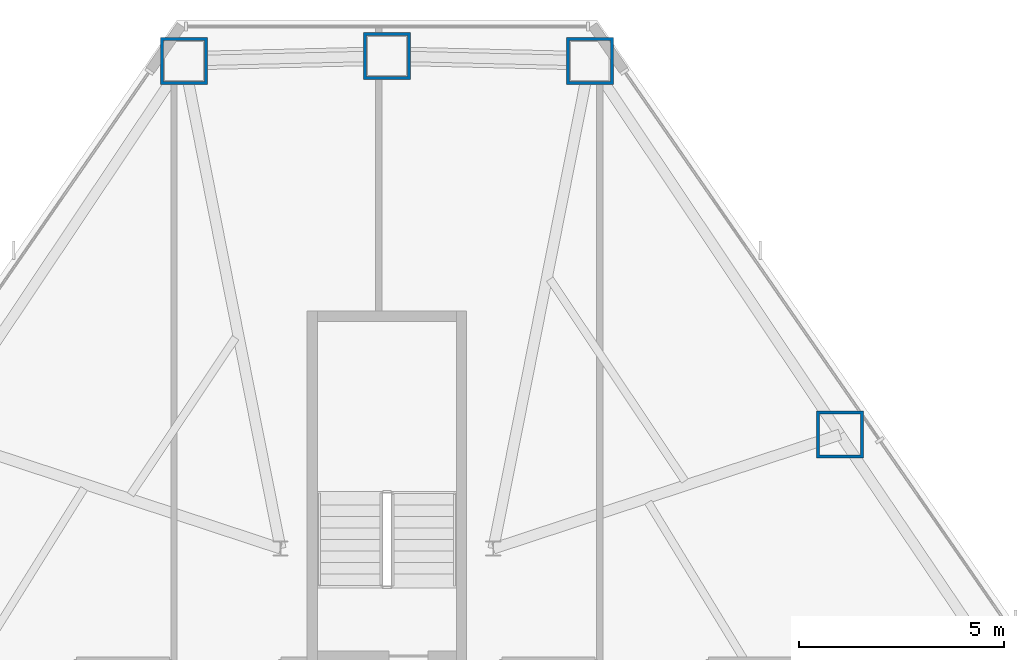
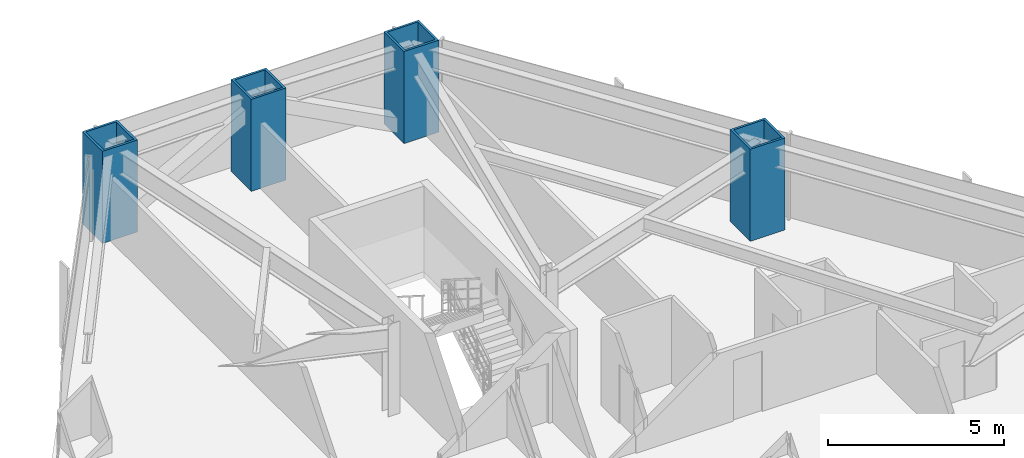
# One storey, part 3 of 13: 4 columns.
"""IFC4 building model written with IfcOpenShell, lengths in metres."""

from ifc_helpers import new_model, si_unit, direction, frame, origin, origin_2d, place, context, subcontext, project, spatial, hollow_rectangle, extrude, material, material_profile, profile_set, type_object, element, save


model = new_model("IFC4")

# Units and contexts
model_context = context("Model", 3, precision=1e-05, world=origin(), true_north=direction((0.0, 1.0)))
body_context = subcontext(model_context, "Body", "Model", "MODEL_VIEW")
ifc_project = project(units=[si_unit("LENGTHUNIT", "METRE"), si_unit("AREAUNIT", "SQUARE_METRE"), si_unit("VOLUMEUNIT", "CUBIC_METRE"), si_unit("PLANEANGLEUNIT", "RADIAN"), si_unit("MASSUNIT", "GRAM", prefix="KILO")], contexts=[model_context])

# Site, building, storey
site_placement = place(None, origin())
site = spatial("IfcSite", under=ifc_project, at=site_placement, CompositionType="ELEMENT")
building_placement = place(site_placement, origin())
building = spatial("IfcBuilding", under=site, at=building_placement, Name="Varakhsha Concourse Tower", CompositionType="ELEMENT")
storey_placement = place(building_placement, frame((0.0, 0.0, 52.800048828125)))
storey = spatial("IfcBuildingStorey", under=building, at=storey_placement, Name="L14", CompositionType="ELEMENT", Elevation=52.800048828125)

# Columns
ifc_material = material(Name="Structural Steel ASTM A572 Grade 50", Category="steel")
ifc_material_profile = material_profile(ifc_material, hollow_rectangle(XDim=1.14990234375, YDim=1.14990234375, WallThickness=0.074951171875, at=origin_2d()), Name="BOX 1150x1150x75")
ifc_profile_set = profile_set([ifc_material_profile], Name="Structural Steel ASTM A572 Grade 50")
column_type = type_object("IfcColumnType", Name="CL-TUBE-1150", PredefinedType="COLUMN", material=ifc_profile_set)
for number, where, z_axis, x_axis, name in (
    (1, (44.95751953125, 53.11962890625, 0.0), (0.0, 0.0, 1.0), (1.0, 0.0, 0.0), "L14 Framed-Tube Column TC01"),
    (2, (40.0, 53.237060546875, 0.0), (0.0, 0.0, 1.0), (1.0, 0.0, 0.0), "L14 Framed-Tube Column TC02"),
    (3, (35.04248046875, 53.11962890625, 0.0), (0.0, 0.0, 1.0), (1.0, 0.0, 0.0), "L14 Framed-Tube Column TC03"),
    (4, (51.0693359375, 43.986083984375, 0.0), (0.0, 0.0, 1.0), (1.0, 0.0, 0.0), "L14 Framed-Tube Column TC18"),
):
    element("IfcColumn", number, at=place(storey_placement, frame(where, z_axis=z_axis, x_axis=x_axis)), inside=storey, type_object=column_type, Name=name, PredefinedType="COLUMN", context=body_context, shape_type="SweptSolid", body=[
        extrude(hollow_rectangle(XDim=1.14990234375, YDim=1.14990234375, WallThickness=0.074951171875, at=origin_2d()), origin(), (0.0, 0.0, 1.0), 3.199951171875),
    ])

save(model, "model.ifc")
